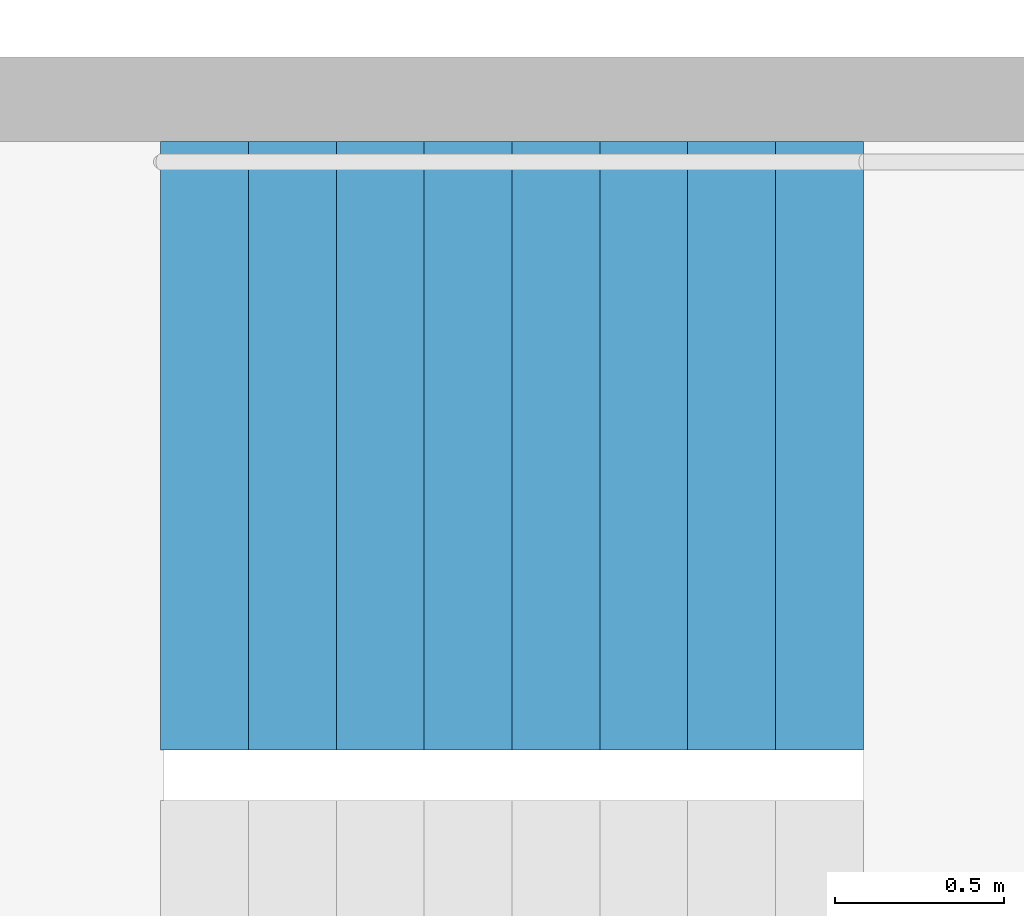
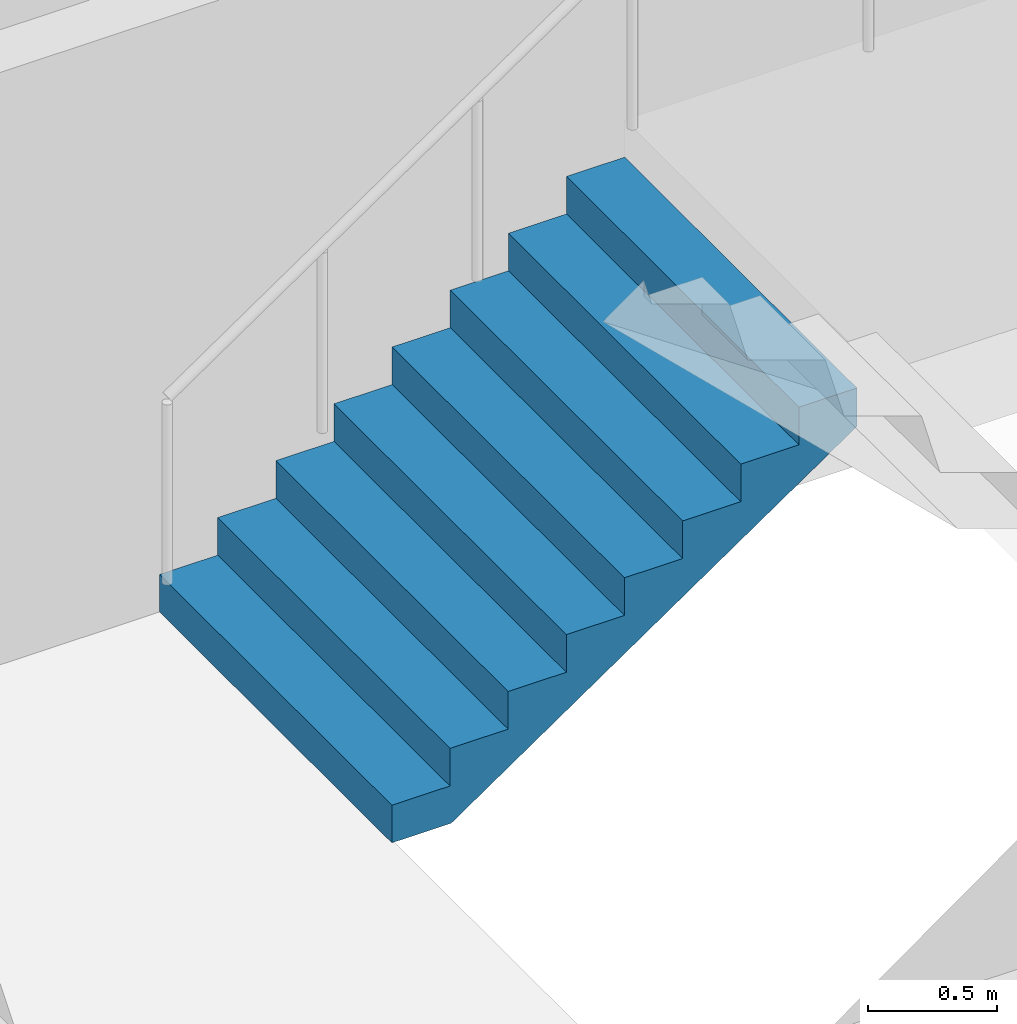
# One storey, part 26 of 29: 1 stair flight, 1 element without a shape of its own.
"""IFC4 building model written with IfcOpenShell, lengths in metres."""

from ifc_helpers import new_model, si_unit, direction, frame, origin, place, context, subcontext, project, spatial, triangles, material, type_object, element, aggregate, save


model = new_model("IFC4")

# Units and contexts
model_context = context("Model", 3, precision=1e-05, world=origin(), true_north=direction((0.0, 1.0)))
body_context = subcontext(model_context, "Body", "Model", "MODEL_VIEW")
ifc_project = project(units=[si_unit("LENGTHUNIT", "METRE"), si_unit("AREAUNIT", "SQUARE_METRE"), si_unit("VOLUMEUNIT", "CUBIC_METRE"), si_unit("PLANEANGLEUNIT", "RADIAN"), si_unit("MASSUNIT", "GRAM", prefix="KILO")], contexts=[model_context])

# Site, building, storey
site_placement = place(None, origin())
site = spatial("IfcSite", under=ifc_project, at=site_placement, CompositionType="ELEMENT")
building_placement = place(site_placement, origin())
building = spatial("IfcBuilding", under=site, at=building_placement, Name="Hakoniwa Tower and Hamabe Station Hall", CompositionType="ELEMENT")
storey_placement = place(building_placement, frame((0.0, 0.0, 113.800048828125)))
storey = spatial("IfcBuildingStorey", under=building, at=storey_placement, Name="L32", CompositionType="ELEMENT", Elevation=113.800048828125)

# Stair, stair flight
ifc_material_1 = material(Name="Concrete C40", Category="concrete")
stair_type = type_object("IfcStairType", Name="ESCAPE STAIR 1800", PredefinedType="HALF_TURN_STAIR", material=ifc_material_1)
stair_placement = place(storey_placement, origin())
stair = element("IfcStair", 1, at=stair_placement, inside=storey, type_object=stair_type, Name="Escape stair ST-4 L32", PredefinedType="HALF_TURN_STAIR")
ifc_material_2 = material(Name="Concrete C40", Category="concrete")
stair_flight_type = type_object("IfcStairFlightType", Name="STAIR FLIGHT 1800", PredefinedType="STRAIGHT", material=ifc_material_2)
stair_flight_placement = place(storey_placement, frame((23.39990234375, -4.64990234375, 0.0), z_axis=(0.0, 0.0, 1.0), x_axis=(1.0, 0.0, 0.0)))
stair_flight = element("IfcStairFlight", 2, at=stair_flight_placement, type_object=stair_flight_type, Name="ST-4 flight 1", NumberOfRisers=9, NumberOfTreads=8, PredefinedType="STRAIGHT", RiserHeight=0.177777778, TreadLength=0.26, context=body_context, shape_type="Tessellation", body=[
    triangles([(0.0, 0.89990234375, 0.0), (0.260009765625, 0.89990234375, 0.0), (0.265625, 0.89990234375, 0.0), (0.52001953125, 0.89990234375, 0.174072265625), (0.780029296875, 0.89990234375, 0.351806640625), (1.0400390625, 0.89990234375, 0.529541015625), (1.300048828125, 0.89990234375, 0.707275390625), (1.56005859375, 0.89990234375, 0.885009765625), (1.820068359375, 0.89990234375, 1.062744140625), (2.080078125, 0.89990234375, 1.24072265625), (2.080078125, 0.89990234375, 1.422119140625), (1.820068359375, 0.89990234375, 1.422119140625), (1.820068359375, 0.89990234375, 1.244384765625), (1.56005859375, 0.89990234375, 1.244384765625), (1.56005859375, 0.89990234375, 1.066650390625), (1.300048828125, 0.89990234375, 1.066650390625), (1.300048828125, 0.89990234375, 0.888916015625), (1.0400390625, 0.89990234375, 0.888916015625), (1.0400390625, 0.89990234375, 0.711181640625), (0.780029296875, 0.89990234375, 0.711181640625), (0.780029296875, 0.89990234375, 0.533447265625), (0.52001953125, 0.89990234375, 0.533447265625), (0.52001953125, 0.89990234375, 0.35546875), (0.265625, 0.89990234375, 0.35546875), (0.260009765625, 0.89990234375, 0.35546875), (0.260009765625, 0.89990234375, 0.177734375), (0.0, 0.89990234375, 0.177734375), (0.0, 0.06005859375, 0.0), (0.260009765625, 0.06005859375, 0.0), (0.265625, 0.06005859375, 0.0), (0.52001953125, 0.06005859375, 0.174072265625), (0.780029296875, 0.06005859375, 0.351806640625), (1.0400390625, 0.06005859375, 0.529541015625), (1.300048828125, 0.06005859375, 0.707275390625), (1.56005859375, 0.06005859375, 0.885009765625), (1.820068359375, 0.06005859375, 1.062744140625), (2.080078125, 0.06005859375, 1.24072265625), (2.080078125, 0.06005859375, 1.422119140625), (1.820068359375, 0.06005859375, 1.422119140625), (1.820068359375, 0.06005859375, 1.244384765625), (1.56005859375, 0.06005859375, 1.244384765625), (1.56005859375, 0.06005859375, 1.066650390625), (1.300048828125, 0.06005859375, 1.066650390625), (1.300048828125, 0.06005859375, 0.888916015625), (1.0400390625, 0.06005859375, 0.888916015625), (1.0400390625, 0.06005859375, 0.711181640625), (0.780029296875, 0.06005859375, 0.711181640625), (0.780029296875, 0.06005859375, 0.533447265625), (0.52001953125, 0.06005859375, 0.533447265625), (0.52001953125, 0.06005859375, 0.35546875), (0.265625, 0.06005859375, 0.35546875), (0.260009765625, 0.06005859375, 0.35546875), (0.260009765625, 0.06005859375, 0.177734375), (0.0, 0.06005859375, 0.177734375), (0.0, 0.04296875, 0.0), (0.260009765625, 0.04296875, 0.0), (0.265625, 0.04296875, 0.0), (0.52001953125, 0.04296875, 0.174072265625), (0.780029296875, 0.04296875, 0.351806640625), (1.0400390625, 0.04296875, 0.529541015625), (1.300048828125, 0.04296875, 0.707275390625), (1.56005859375, 0.04296875, 0.885009765625), (1.820068359375, 0.04296875, 1.062744140625), (2.080078125, 0.04296875, 1.24072265625), (2.080078125, 0.04296875, 1.422119140625), (1.820068359375, 0.04296875, 1.422119140625), (1.820068359375, 0.04296875, 1.244384765625), (1.56005859375, 0.04296875, 1.244384765625), (1.56005859375, 0.04296875, 1.066650390625), (1.300048828125, 0.04296875, 1.066650390625), (1.300048828125, 0.04296875, 0.888916015625), (1.0400390625, 0.04296875, 0.888916015625), (1.0400390625, 0.04296875, 0.711181640625), (0.780029296875, 0.04296875, 0.711181640625), (0.780029296875, 0.04296875, 0.533447265625), (0.52001953125, 0.04296875, 0.533447265625), (0.52001953125, 0.04296875, 0.35546875), (0.265625, 0.04296875, 0.35546875), (0.260009765625, 0.04296875, 0.35546875), (0.260009765625, 0.04296875, 0.177734375), (0.0, 0.04296875, 0.177734375), (0.0, 0.025634765625, 0.0), (0.260009765625, 0.025634765625, 0.0), (0.265625, 0.025634765625, 0.0), (0.52001953125, 0.025634765625, 0.174072265625), (0.780029296875, 0.025634765625, 0.351806640625), (1.0400390625, 0.025634765625, 0.529541015625), (1.300048828125, 0.025634765625, 0.707275390625), (1.56005859375, 0.025634765625, 0.885009765625), (1.820068359375, 0.025634765625, 1.062744140625), (2.080078125, 0.025634765625, 1.24072265625), (2.080078125, 0.025634765625, 1.422119140625), (1.820068359375, 0.025634765625, 1.422119140625), (1.820068359375, 0.025634765625, 1.244384765625), (1.56005859375, 0.025634765625, 1.244384765625), (1.56005859375, 0.025634765625, 1.066650390625), (1.300048828125, 0.025634765625, 1.066650390625), (1.300048828125, 0.025634765625, 0.888916015625), (1.0400390625, 0.025634765625, 0.888916015625), (1.0400390625, 0.025634765625, 0.711181640625), (0.780029296875, 0.025634765625, 0.711181640625), (0.780029296875, 0.025634765625, 0.533447265625), (0.52001953125, 0.025634765625, 0.533447265625), (0.52001953125, 0.025634765625, 0.35546875), (0.265625, 0.025634765625, 0.35546875), (0.260009765625, 0.025634765625, 0.35546875), (0.260009765625, 0.025634765625, 0.177734375), (0.0, 0.025634765625, 0.177734375), (0.0, 0.008544921875, 0.0), (0.260009765625, 0.008544921875, 0.0), (0.265625, 0.008544921875, 0.0), (0.52001953125, 0.008544921875, 0.174072265625), (0.780029296875, 0.008544921875, 0.351806640625), (1.0400390625, 0.008544921875, 0.529541015625), (1.300048828125, 0.008544921875, 0.707275390625), (1.56005859375, 0.008544921875, 0.885009765625), (1.820068359375, 0.008544921875, 1.062744140625), (2.080078125, 0.008544921875, 1.24072265625), (2.080078125, 0.008544921875, 1.422119140625), (1.820068359375, 0.008544921875, 1.422119140625), (1.820068359375, 0.008544921875, 1.244384765625), (1.56005859375, 0.008544921875, 1.244384765625), (1.56005859375, 0.008544921875, 1.066650390625), (1.300048828125, 0.008544921875, 1.066650390625), (1.300048828125, 0.008544921875, 0.888916015625), (1.0400390625, 0.008544921875, 0.888916015625), (1.0400390625, 0.008544921875, 0.711181640625), (0.780029296875, 0.008544921875, 0.711181640625), (0.780029296875, 0.008544921875, 0.533447265625), (0.52001953125, 0.008544921875, 0.533447265625), (0.52001953125, 0.008544921875, 0.35546875), (0.265625, 0.008544921875, 0.35546875), (0.260009765625, 0.008544921875, 0.35546875), (0.260009765625, 0.008544921875, 0.177734375), (0.0, 0.008544921875, 0.177734375), (0.0, -0.008544921875, 0.0), (0.260009765625, -0.008544921875, 0.0), (0.265625, -0.008544921875, 0.0), (0.52001953125, -0.008544921875, 0.174072265625), (0.780029296875, -0.008544921875, 0.351806640625), (1.0400390625, -0.008544921875, 0.529541015625), (1.300048828125, -0.008544921875, 0.707275390625), (1.56005859375, -0.008544921875, 0.885009765625), (1.820068359375, -0.008544921875, 1.062744140625), (2.080078125, -0.008544921875, 1.24072265625), (2.080078125, -0.008544921875, 1.422119140625), (1.820068359375, -0.008544921875, 1.422119140625), (1.820068359375, -0.008544921875, 1.244384765625), (1.56005859375, -0.008544921875, 1.244384765625), (1.56005859375, -0.008544921875, 1.066650390625), (1.300048828125, -0.008544921875, 1.066650390625), (1.300048828125, -0.008544921875, 0.888916015625), (1.0400390625, -0.008544921875, 0.888916015625), (1.0400390625, -0.008544921875, 0.711181640625), (0.780029296875, -0.008544921875, 0.711181640625), (0.780029296875, -0.008544921875, 0.533447265625), (0.52001953125, -0.008544921875, 0.533447265625), (0.52001953125, -0.008544921875, 0.35546875), (0.265625, -0.008544921875, 0.35546875), (0.260009765625, -0.008544921875, 0.35546875), (0.260009765625, -0.008544921875, 0.177734375), (0.0, -0.008544921875, 0.177734375), (0.0, -0.025634765625, 0.0), (0.260009765625, -0.025634765625, 0.0), (0.265625, -0.025634765625, 0.0), (0.52001953125, -0.025634765625, 0.174072265625), (0.780029296875, -0.025634765625, 0.351806640625), (1.0400390625, -0.025634765625, 0.529541015625), (1.300048828125, -0.025634765625, 0.707275390625), (1.56005859375, -0.025634765625, 0.885009765625), (1.820068359375, -0.025634765625, 1.062744140625), (2.080078125, -0.025634765625, 1.24072265625), (2.080078125, -0.025634765625, 1.422119140625), (1.820068359375, -0.025634765625, 1.422119140625), (1.820068359375, -0.025634765625, 1.244384765625), (1.56005859375, -0.025634765625, 1.244384765625), (1.56005859375, -0.025634765625, 1.066650390625), (1.300048828125, -0.025634765625, 1.066650390625), (1.300048828125, -0.025634765625, 0.888916015625), (1.0400390625, -0.025634765625, 0.888916015625), (1.0400390625, -0.025634765625, 0.711181640625), (0.780029296875, -0.025634765625, 0.711181640625), (0.780029296875, -0.025634765625, 0.533447265625), (0.52001953125, -0.025634765625, 0.533447265625), (0.52001953125, -0.025634765625, 0.35546875), (0.265625, -0.025634765625, 0.35546875), (0.260009765625, -0.025634765625, 0.35546875), (0.260009765625, -0.025634765625, 0.177734375), (0.0, -0.025634765625, 0.177734375), (0.0, -0.04296875, 0.0), (0.260009765625, -0.04296875, 0.0), (0.265625, -0.04296875, 0.0), (0.52001953125, -0.04296875, 0.174072265625), (0.780029296875, -0.04296875, 0.351806640625), (1.0400390625, -0.04296875, 0.529541015625), (1.300048828125, -0.04296875, 0.707275390625), (1.56005859375, -0.04296875, 0.885009765625), (1.820068359375, -0.04296875, 1.062744140625), (2.080078125, -0.04296875, 1.24072265625), (2.080078125, -0.04296875, 1.422119140625), (1.820068359375, -0.04296875, 1.422119140625), (1.820068359375, -0.04296875, 1.244384765625), (1.56005859375, -0.04296875, 1.244384765625), (1.56005859375, -0.04296875, 1.066650390625), (1.300048828125, -0.04296875, 1.066650390625), (1.300048828125, -0.04296875, 0.888916015625), (1.0400390625, -0.04296875, 0.888916015625), (1.0400390625, -0.04296875, 0.711181640625), (0.780029296875, -0.04296875, 0.711181640625), (0.780029296875, -0.04296875, 0.533447265625), (0.52001953125, -0.04296875, 0.533447265625), (0.52001953125, -0.04296875, 0.35546875), (0.265625, -0.04296875, 0.35546875), (0.260009765625, -0.04296875, 0.35546875), (0.260009765625, -0.04296875, 0.177734375), (0.0, -0.04296875, 0.177734375), (0.0, -0.06005859375, 0.0), (0.260009765625, -0.06005859375, 0.0), (0.265625, -0.06005859375, 0.0), (0.52001953125, -0.06005859375, 0.174072265625), (0.780029296875, -0.06005859375, 0.351806640625), (1.0400390625, -0.06005859375, 0.529541015625), (1.300048828125, -0.06005859375, 0.707275390625), (1.56005859375, -0.06005859375, 0.885009765625), (1.820068359375, -0.06005859375, 1.062744140625), (2.080078125, -0.06005859375, 1.24072265625), (2.080078125, -0.06005859375, 1.422119140625), (1.820068359375, -0.06005859375, 1.422119140625), (1.820068359375, -0.06005859375, 1.244384765625), (1.56005859375, -0.06005859375, 1.244384765625), (1.56005859375, -0.06005859375, 1.066650390625), (1.300048828125, -0.06005859375, 1.066650390625), (1.300048828125, -0.06005859375, 0.888916015625), (1.0400390625, -0.06005859375, 0.888916015625), (1.0400390625, -0.06005859375, 0.711181640625), (0.780029296875, -0.06005859375, 0.711181640625), (0.780029296875, -0.06005859375, 0.533447265625), (0.52001953125, -0.06005859375, 0.533447265625), (0.52001953125, -0.06005859375, 0.35546875), (0.265625, -0.06005859375, 0.35546875), (0.260009765625, -0.06005859375, 0.35546875), (0.260009765625, -0.06005859375, 0.177734375), (0.0, -0.06005859375, 0.177734375), (0.0, -0.89990234375, 0.0), (0.260009765625, -0.89990234375, 0.0), (0.265625, -0.89990234375, 0.0), (0.52001953125, -0.89990234375, 0.174072265625), (0.780029296875, -0.89990234375, 0.351806640625), (1.0400390625, -0.89990234375, 0.529541015625), (1.300048828125, -0.89990234375, 0.707275390625), (1.56005859375, -0.89990234375, 0.885009765625), (1.820068359375, -0.89990234375, 1.062744140625), (2.080078125, -0.89990234375, 1.24072265625), (2.080078125, -0.89990234375, 1.422119140625), (1.820068359375, -0.89990234375, 1.422119140625), (1.820068359375, -0.89990234375, 1.244384765625), (1.56005859375, -0.89990234375, 1.244384765625), (1.56005859375, -0.89990234375, 1.066650390625), (1.300048828125, -0.89990234375, 1.066650390625), (1.300048828125, -0.89990234375, 0.888916015625), (1.0400390625, -0.89990234375, 0.888916015625), (1.0400390625, -0.89990234375, 0.711181640625), (0.780029296875, -0.89990234375, 0.711181640625), (0.780029296875, -0.89990234375, 0.533447265625), (0.52001953125, -0.89990234375, 0.533447265625), (0.52001953125, -0.89990234375, 0.35546875), (0.265625, -0.89990234375, 0.35546875), (0.260009765625, -0.89990234375, 0.35546875), (0.260009765625, -0.89990234375, 0.177734375), (0.0, -0.89990234375, 0.177734375)], [[2, 27, 26], [245, 269, 270], [2, 1, 27], [245, 270, 244], [3, 25, 24], [246, 267, 268], [3, 26, 25], [246, 268, 269], [3, 2, 26], [246, 269, 245], [4, 24, 23], [247, 266, 267], [4, 3, 24], [247, 267, 246], [5, 22, 21], [248, 264, 265], [5, 23, 22], [248, 265, 266], [5, 4, 23], [248, 266, 247], [6, 20, 19], [249, 262, 263], [6, 21, 20], [249, 263, 264], [6, 5, 21], [249, 264, 248], [7, 18, 17], [250, 260, 261], [7, 19, 18], [250, 261, 262], [7, 6, 19], [250, 262, 249], [8, 16, 15], [251, 258, 259], [8, 17, 16], [251, 259, 260], [8, 7, 17], [251, 260, 250], [9, 14, 13], [252, 256, 257], [9, 15, 14], [252, 257, 258], [9, 8, 15], [252, 258, 251], [10, 12, 11], [253, 254, 255], [10, 13, 12], [253, 255, 256], [10, 9, 13], [253, 256, 252], [1, 2, 29], [1, 29, 28], [28, 29, 56], [28, 56, 55], [55, 56, 83], [55, 83, 82], [82, 83, 110], [82, 110, 109], [109, 110, 137], [109, 137, 136], [136, 137, 164], [136, 164, 163], [163, 164, 191], [163, 191, 190], [190, 191, 218], [190, 218, 217], [217, 218, 245], [217, 245, 244], [2, 3, 30], [2, 30, 29], [29, 30, 57], [29, 57, 56], [56, 57, 84], [56, 84, 83], [83, 84, 111], [83, 111, 110], [110, 111, 138], [110, 138, 137], [137, 138, 165], [137, 165, 164], [164, 165, 192], [164, 192, 191], [191, 192, 219], [191, 219, 218], [218, 219, 246], [218, 246, 245], [3, 4, 31], [3, 31, 30], [30, 31, 58], [30, 58, 57], [57, 58, 85], [57, 85, 84], [84, 85, 112], [84, 112, 111], [111, 112, 139], [111, 139, 138], [138, 139, 166], [138, 166, 165], [165, 166, 193], [165, 193, 192], [192, 193, 220], [192, 220, 219], [219, 220, 247], [219, 247, 246], [4, 5, 32], [4, 32, 31], [31, 32, 59], [31, 59, 58], [58, 59, 86], [58, 86, 85], [85, 86, 113], [85, 113, 112], [112, 113, 140], [112, 140, 139], [139, 140, 167], [139, 167, 166], [166, 167, 194], [166, 194, 193], [193, 194, 221], [193, 221, 220], [220, 221, 248], [220, 248, 247], [5, 6, 33], [5, 33, 32], [32, 33, 60], [32, 60, 59], [59, 60, 87], [59, 87, 86], [86, 87, 114], [86, 114, 113], [113, 114, 141], [113, 141, 140], [140, 141, 168], [140, 168, 167], [167, 168, 195], [167, 195, 194], [194, 195, 222], [194, 222, 221], [221, 222, 249], [221, 249, 248], [6, 7, 34], [6, 34, 33], [33, 34, 61], [33, 61, 60], [60, 61, 88], [60, 88, 87], [87, 88, 115], [87, 115, 114], [114, 115, 142], [114, 142, 141], [141, 142, 169], [141, 169, 168], [168, 169, 196], [168, 196, 195], [195, 196, 223], [195, 223, 222], [222, 223, 250], [222, 250, 249], [7, 8, 35], [7, 35, 34], [34, 35, 62], [34, 62, 61], [61, 62, 89], [61, 89, 88], [88, 89, 116], [88, 116, 115], [115, 116, 143], [115, 143, 142], [142, 143, 170], [142, 170, 169], [169, 170, 197], [169, 197, 196], [196, 197, 224], [196, 224, 223], [223, 224, 251], [223, 251, 250], [8, 9, 36], [8, 36, 35], [35, 36, 63], [35, 63, 62], [62, 63, 90], [62, 90, 89], [89, 90, 117], [89, 117, 116], [116, 117, 144], [116, 144, 143], [143, 144, 171], [143, 171, 170], [170, 171, 198], [170, 198, 197], [197, 198, 225], [197, 225, 224], [224, 225, 252], [224, 252, 251], [9, 10, 37], [9, 37, 36], [36, 37, 64], [36, 64, 63], [63, 64, 91], [63, 91, 90], [90, 91, 118], [90, 118, 117], [117, 118, 145], [117, 145, 144], [144, 145, 172], [144, 172, 171], [171, 172, 199], [171, 199, 198], [198, 199, 226], [198, 226, 225], [225, 226, 253], [225, 253, 252], [10, 11, 38], [10, 38, 37], [37, 38, 65], [37, 65, 64], [64, 65, 92], [64, 92, 91], [91, 92, 119], [91, 119, 118], [118, 119, 146], [118, 146, 145], [145, 146, 173], [145, 173, 172], [172, 173, 200], [172, 200, 199], [199, 200, 227], [199, 227, 226], [226, 227, 254], [226, 254, 253], [11, 12, 39], [11, 39, 38], [38, 39, 66], [38, 66, 65], [65, 66, 93], [65, 93, 92], [92, 93, 120], [92, 120, 119], [119, 120, 147], [119, 147, 146], [146, 147, 174], [146, 174, 173], [173, 174, 201], [173, 201, 200], [200, 201, 228], [200, 228, 227], [227, 228, 255], [227, 255, 254], [12, 13, 40], [12, 40, 39], [39, 40, 67], [39, 67, 66], [66, 67, 94], [66, 94, 93], [93, 94, 121], [93, 121, 120], [120, 121, 148], [120, 148, 147], [147, 148, 175], [147, 175, 174], [174, 175, 202], [174, 202, 201], [201, 202, 229], [201, 229, 228], [228, 229, 256], [228, 256, 255], [13, 14, 41], [13, 41, 40], [40, 41, 68], [40, 68, 67], [67, 68, 95], [67, 95, 94], [94, 95, 122], [94, 122, 121], [121, 122, 149], [121, 149, 148], [148, 149, 176], [148, 176, 175], [175, 176, 203], [175, 203, 202], [202, 203, 230], [202, 230, 229], [229, 230, 257], [229, 257, 256], [14, 15, 42], [14, 42, 41], [41, 42, 69], [41, 69, 68], [68, 69, 96], [68, 96, 95], [95, 96, 123], [95, 123, 122], [122, 123, 150], [122, 150, 149], [149, 150, 177], [149, 177, 176], [176, 177, 204], [176, 204, 203], [203, 204, 231], [203, 231, 230], [230, 231, 258], [230, 258, 257], [15, 16, 43], [15, 43, 42], [42, 43, 70], [42, 70, 69], [69, 70, 97], [69, 97, 96], [96, 97, 124], [96, 124, 123], [123, 124, 151], [123, 151, 150], [150, 151, 178], [150, 178, 177], [177, 178, 205], [177, 205, 204], [204, 205, 232], [204, 232, 231], [231, 232, 259], [231, 259, 258], [16, 17, 44], [16, 44, 43], [43, 44, 71], [43, 71, 70], [70, 71, 98], [70, 98, 97], [97, 98, 125], [97, 125, 124], [124, 125, 152], [124, 152, 151], [151, 152, 179], [151, 179, 178], [178, 179, 206], [178, 206, 205], [205, 206, 233], [205, 233, 232], [232, 233, 260], [232, 260, 259], [17, 18, 45], [17, 45, 44], [44, 45, 72], [44, 72, 71], [71, 72, 99], [71, 99, 98], [98, 99, 126], [98, 126, 125], [125, 126, 153], [125, 153, 152], [152, 153, 180], [152, 180, 179], [179, 180, 207], [179, 207, 206], [206, 207, 234], [206, 234, 233], [233, 234, 261], [233, 261, 260], [18, 19, 46], [18, 46, 45], [45, 46, 73], [45, 73, 72], [72, 73, 100], [72, 100, 99], [99, 100, 127], [99, 127, 126], [126, 127, 154], [126, 154, 153], [153, 154, 181], [153, 181, 180], [180, 181, 208], [180, 208, 207], [207, 208, 235], [207, 235, 234], [234, 235, 262], [234, 262, 261], [19, 20, 47], [19, 47, 46], [46, 47, 74], [46, 74, 73], [73, 74, 101], [73, 101, 100], [100, 101, 128], [100, 128, 127], [127, 128, 155], [127, 155, 154], [154, 155, 182], [154, 182, 181], [181, 182, 209], [181, 209, 208], [208, 209, 236], [208, 236, 235], [235, 236, 263], [235, 263, 262], [20, 21, 48], [20, 48, 47], [47, 48, 75], [47, 75, 74], [74, 75, 102], [74, 102, 101], [101, 102, 129], [101, 129, 128], [128, 129, 156], [128, 156, 155], [155, 156, 183], [155, 183, 182], [182, 183, 210], [182, 210, 209], [209, 210, 237], [209, 237, 236], [236, 237, 264], [236, 264, 263], [21, 22, 49], [21, 49, 48], [48, 49, 76], [48, 76, 75], [75, 76, 103], [75, 103, 102], [102, 103, 130], [102, 130, 129], [129, 130, 157], [129, 157, 156], [156, 157, 184], [156, 184, 183], [183, 184, 211], [183, 211, 210], [210, 211, 238], [210, 238, 237], [237, 238, 265], [237, 265, 264], [22, 23, 50], [22, 50, 49], [49, 50, 77], [49, 77, 76], [76, 77, 104], [76, 104, 103], [103, 104, 131], [103, 131, 130], [130, 131, 158], [130, 158, 157], [157, 158, 185], [157, 185, 184], [184, 185, 212], [184, 212, 211], [211, 212, 239], [211, 239, 238], [238, 239, 266], [238, 266, 265], [23, 24, 51], [23, 51, 50], [50, 51, 78], [50, 78, 77], [77, 78, 105], [77, 105, 104], [104, 105, 132], [104, 132, 131], [131, 132, 159], [131, 159, 158], [158, 159, 186], [158, 186, 185], [185, 186, 213], [185, 213, 212], [212, 213, 240], [212, 240, 239], [239, 240, 267], [239, 267, 266], [24, 25, 52], [24, 52, 51], [51, 52, 79], [51, 79, 78], [78, 79, 106], [78, 106, 105], [105, 106, 133], [105, 133, 132], [132, 133, 160], [132, 160, 159], [159, 160, 187], [159, 187, 186], [186, 187, 214], [186, 214, 213], [213, 214, 241], [213, 241, 240], [240, 241, 268], [240, 268, 267], [25, 26, 53], [25, 53, 52], [52, 53, 80], [52, 80, 79], [79, 80, 107], [79, 107, 106], [106, 107, 134], [106, 134, 133], [133, 134, 161], [133, 161, 160], [160, 161, 188], [160, 188, 187], [187, 188, 215], [187, 215, 214], [214, 215, 242], [214, 242, 241], [241, 242, 269], [241, 269, 268], [26, 27, 54], [26, 54, 53], [53, 54, 81], [53, 81, 80], [80, 81, 108], [80, 108, 107], [107, 108, 135], [107, 135, 134], [134, 135, 162], [134, 162, 161], [161, 162, 189], [161, 189, 188], [188, 189, 216], [188, 216, 215], [215, 216, 243], [215, 243, 242], [242, 243, 270], [242, 270, 269], [27, 1, 28], [27, 28, 54], [54, 28, 55], [54, 55, 81], [81, 55, 82], [81, 82, 108], [108, 82, 109], [108, 109, 135], [135, 109, 136], [135, 136, 162], [162, 136, 163], [162, 163, 189], [189, 163, 190], [189, 190, 216], [216, 190, 217], [216, 217, 243], [243, 217, 244], [243, 244, 270]], closed=True),
])
aggregate(stair, [stair_flight])

save(model, "model.ifc")
